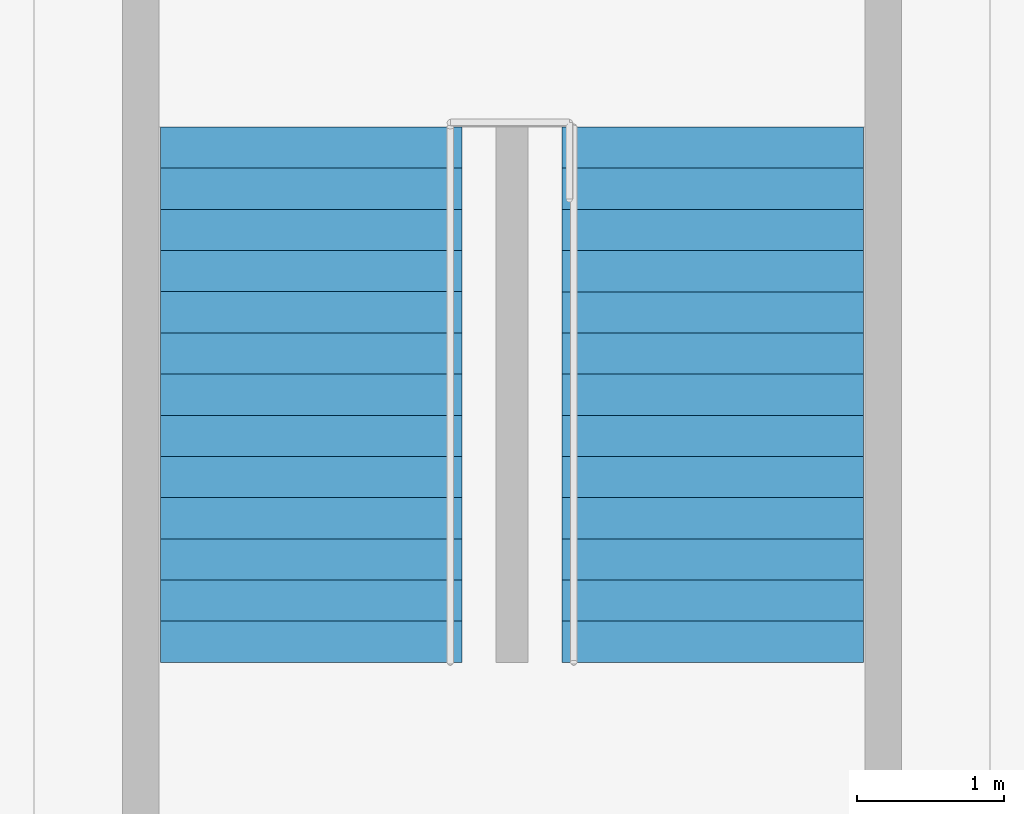
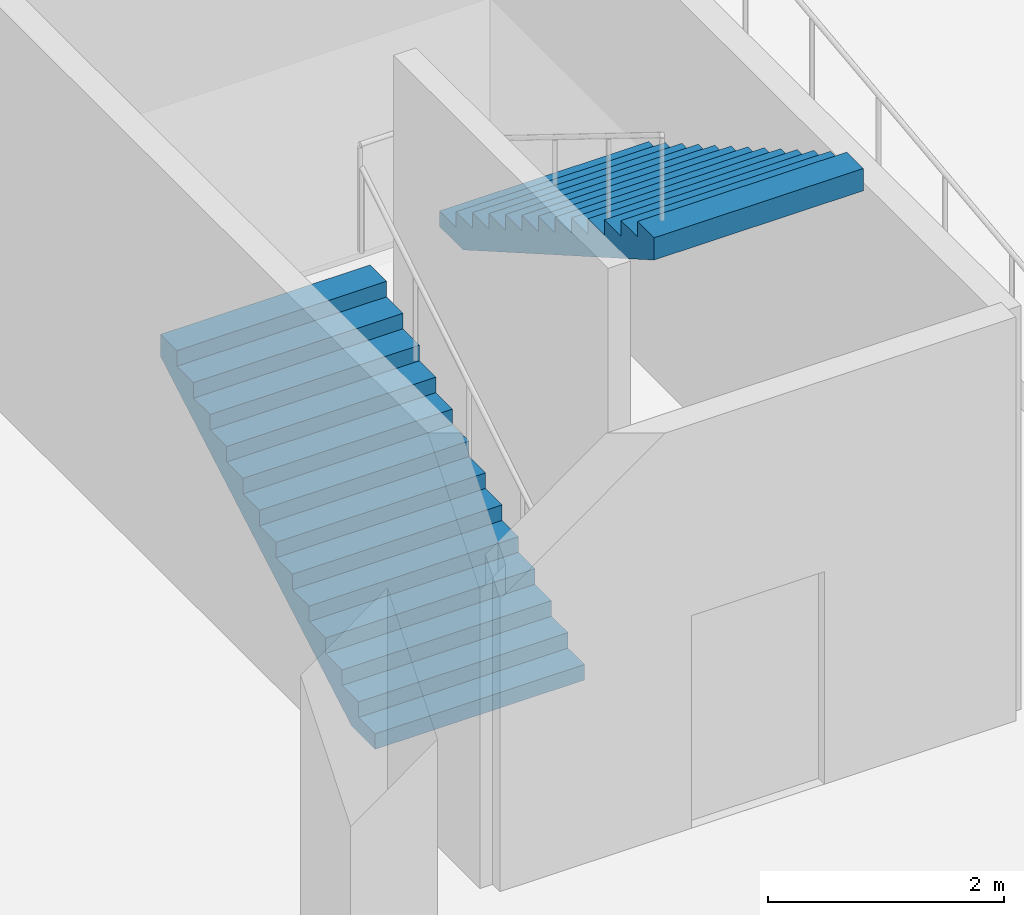
# One storey, part 20 of 26: 2 stair flights, 1 element without a shape of its own.
"""IFC4 building model written with IfcOpenShell, lengths in metres."""

from ifc_helpers import new_model, si_unit, direction, frame, origin, place, context, subcontext, project, spatial, polyline, outline, extrude, material, type_object, element, aggregate, save


model = new_model("IFC4")

# Units and contexts
model_context = context("Model", 3, precision=1e-05, world=origin(), true_north=direction((0.0, 1.0)))
body_context = subcontext(model_context, "Body", "Model", "MODEL_VIEW")
ifc_project = project(units=[si_unit("LENGTHUNIT", "METRE"), si_unit("AREAUNIT", "SQUARE_METRE"), si_unit("VOLUMEUNIT", "CUBIC_METRE"), si_unit("PLANEANGLEUNIT", "RADIAN"), si_unit("MASSUNIT", "GRAM", prefix="KILO")], contexts=[model_context])

# Site, building, storey
site_placement = place(None, origin())
site = spatial("IfcSite", under=ifc_project, at=site_placement, CompositionType="ELEMENT")
building_placement = place(site_placement, origin())
building = spatial("IfcBuilding", under=site, at=building_placement, Name="Akrevak Sports Hall", CompositionType="ELEMENT")
storey_placement = place(building_placement, frame((0.0, 0.0, -9.0)))
storey = spatial("IfcBuildingStorey", under=building, at=storey_placement, Name="B02", CompositionType="ELEMENT", Elevation=-9.0)

# Stair, stair flights
ifc_material = material(Name="Concrete C40/50", Category="concrete")
stair_type = type_object("IfcStairType", Name="ARC-STR-PDOG-450", PredefinedType="HALF_TURN_STAIR", material=ifc_material)
stair_placement = place(storey_placement, origin())
stair = element("IfcStair", 1, at=stair_placement, inside=storey, type_object=stair_type, Name="Podium NE Exit Stair ST8 (B02 to B01)", PredefinedType="HALF_TURN_STAIR")
stair_flight_type = type_object("IfcStairFlightType", Name="ARC-FLT-225-161", PredefinedType="STRAIGHT", material=ifc_material)
stair_flight_1_placement = place(storey_placement, frame((140.385009765625, 71.85009765625, 0.0), z_axis=(0.0, 0.0, 1.0), x_axis=(0.0, 1.0, 0.0)))
stair_flight_1 = element("IfcStairFlight", 2, at=stair_flight_1_placement, type_object=stair_flight_type, Name="Stair ST8 Flight 1 (B02)", NumberOfRisers=14, NumberOfTreads=13, PredefinedType="STRAIGHT", RiserHeight=0.160714, TreadLength=0.28, context=body_context, shape_type="SweptSolid", body=[
    extrude(outline(polyline([(0.0, 0.0), (0.0, 0.16064453125), (0.280029296875, 0.16064453125), (0.280029296875, 0.321533203125), (0.56005859375, 0.321533203125), (0.56005859375, 0.482177734375), (0.840087890625, 0.482177734375), (0.840087890625, 0.642822265625), (1.1201171875, 0.642822265625), (1.1201171875, 0.803466796875), (1.39990234375, 0.803466796875), (1.39990234375, 0.96435546875), (1.679931640625, 0.96435546875), (1.679931640625, 1.125), (1.9599609375, 1.125), (1.9599609375, 1.28564453125), (2.239990234375, 1.28564453125), (2.239990234375, 1.446533203125), (2.52001953125, 1.446533203125), (2.52001953125, 1.607177734375), (2.800048828125, 1.607177734375), (2.800048828125, 1.767822265625), (3.080078125, 1.767822265625), (3.080078125, 1.928466796875), (3.360107421875, 1.928466796875), (3.360107421875, 2.08935546875), (3.639892578125, 2.08935546875), (3.639892578125, 2.25), (3.639892578125, 1.858642578125), (0.401611328125, 0.0), (0.0, 0.0)])), frame((0.0, 1.02490234375, 0.0), z_axis=(0.0, -1.0, 0.0), x_axis=(1.0, 0.0, 0.0)), (0.0, 0.0, 1.0), 2.050048828125),
])
stair_flight_2_placement = place(storey_placement, frame((143.114990234375, 75.489990234375, 2.25), z_axis=(0.0, 0.0, 1.0), x_axis=(0.0, -1.0, 0.0)))
stair_flight_2 = element("IfcStairFlight", 3, at=stair_flight_2_placement, type_object=stair_flight_type, Name="Stair ST8 Flight 2 (B02)", NumberOfRisers=14, NumberOfTreads=13, PredefinedType="STRAIGHT", RiserHeight=0.160714, TreadLength=0.28, context=body_context, shape_type="SweptSolid", body=[
    extrude(outline(polyline([(0.0, 0.0), (0.0, 0.16064453125), (0.280029296875, 0.16064453125), (0.280029296875, 0.321533203125), (0.56005859375, 0.321533203125), (0.56005859375, 0.482177734375), (0.840087890625, 0.482177734375), (0.840087890625, 0.642822265625), (1.1201171875, 0.642822265625), (1.1201171875, 0.803466796875), (1.39990234375, 0.803466796875), (1.39990234375, 0.96435546875), (1.679931640625, 0.96435546875), (1.679931640625, 1.125), (1.9599609375, 1.125), (1.9599609375, 1.28564453125), (2.239990234375, 1.28564453125), (2.239990234375, 1.446533203125), (2.52001953125, 1.446533203125), (2.52001953125, 1.607177734375), (2.800048828125, 1.607177734375), (2.800048828125, 1.767822265625), (3.080078125, 1.767822265625), (3.080078125, 1.928466796875), (3.360107421875, 1.928466796875), (3.360107421875, 2.08935546875), (3.639892578125, 2.08935546875), (3.639892578125, 2.25), (3.639892578125, 1.858642578125), (0.401611328125, 0.0), (0.0, 0.0)])), frame((0.0, 1.02490234375, 0.0), z_axis=(0.0, -1.0, 0.0), x_axis=(1.0, 0.0, 0.0)), (0.0, 0.0, 1.0), 2.050048828125),
])
aggregate(stair, [stair_flight_1, stair_flight_2])

save(model, "model.ifc")
